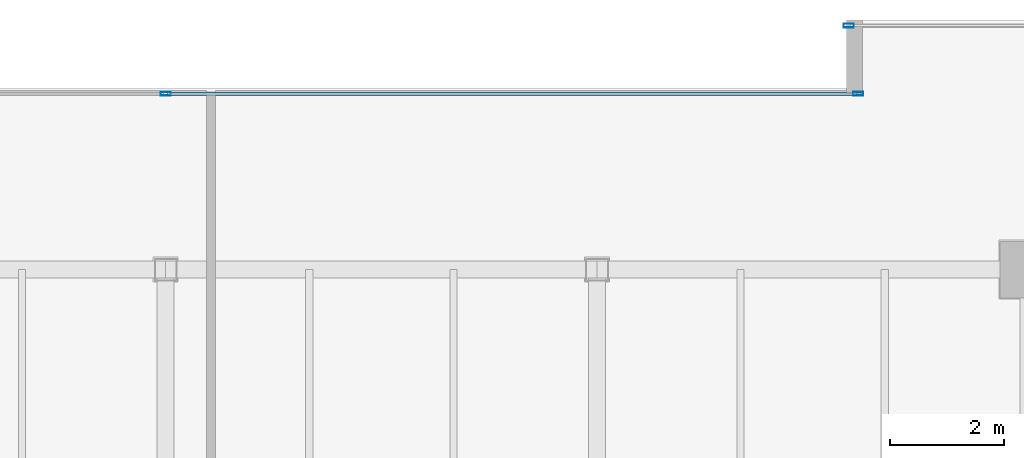
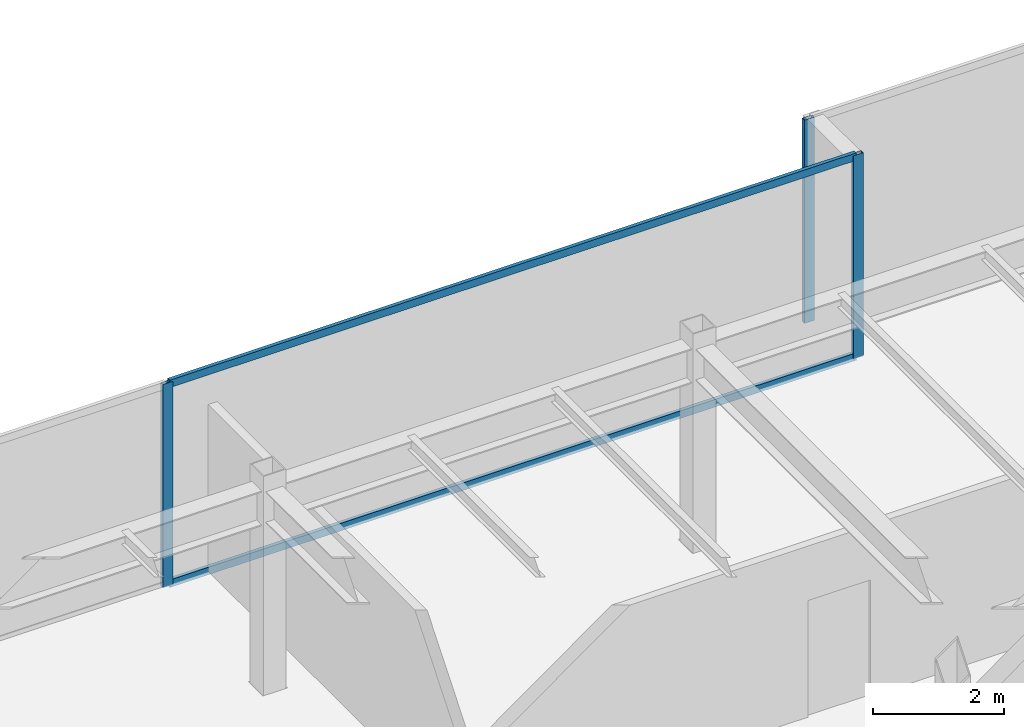
# One storey, part 19 of 36: 5 members, 2 elements without a shape of their own.
"""IFC4 building model written with IfcOpenShell, lengths in metres."""

from ifc_helpers import new_model, si_unit, direction, frame, origin, origin_2d, place, context, subcontext, project, spatial, hollow_rectangle, extrude, source, transform, mapped, material, layer, layer_set, material_profile, profile_set, type_object, type_shapes, element, aggregate, save


model = new_model("IFC4")

# Units and contexts
model_context = context("Model", 3, precision=1e-05, world=origin(), true_north=direction((0.0, 1.0)))
body_context = subcontext(model_context, "Body", "Model", "MODEL_VIEW")
ifc_project = project(units=[si_unit("LENGTHUNIT", "METRE"), si_unit("AREAUNIT", "SQUARE_METRE"), si_unit("VOLUMEUNIT", "CUBIC_METRE"), si_unit("PLANEANGLEUNIT", "RADIAN"), si_unit("MASSUNIT", "GRAM", prefix="KILO")], contexts=[model_context])

# Site, building, storey
site_placement = place(None, origin())
site = spatial("IfcSite", under=ifc_project, at=site_placement, CompositionType="ELEMENT")
building_placement = place(site_placement, origin())
building = spatial("IfcBuilding", under=site, at=building_placement, Name="Haelvirn Gate Laboratories", CompositionType="ELEMENT")
storey_placement = place(building_placement, frame((0.0, 0.0, 254.699951171875)))
storey = spatial("IfcBuildingStorey", under=building, at=storey_placement, Name="L61", CompositionType="ELEMENT", Elevation=254.699951171875)

# Curtain wall, members
ifc_material_1 = material(Name="Anodised bronze unitised aluminium & triple low-E glass", Category="aluminium")
ifc_layer = layer(ifc_material_1, 0.176025390625, Name="CW-SYS-4")
ifc_layer_set = layer_set([ifc_layer], Name="Anodised bronze unitised aluminium & triple low-E glass")
curtain_wall_type = type_object("IfcCurtainWallType", Name="CW-SYS-4", PredefinedType="NOTDEFINED", material=ifc_layer_set)
curtain_wall_1_placement = place(storey_placement, origin())
curtain_wall_1 = element("IfcCurtainWall", 1, at=curtain_wall_1_placement, inside=storey, type_object=curtain_wall_type, Name="L61 Unitised Curtain Wall CW-L61-P0-E12-1", PredefinedType="NOTDEFINED")
ifc_material_2 = material(Name="Extruded aluminium 6063-T6 (anodised bronze)", Category="aluminium")
ifc_material_profile_1 = material_profile(ifc_material_2, hollow_rectangle(XDim=0.06494140625, YDim=0.139892578125, WallThickness=0.00390625, at=origin_2d()), Name="CWT-140x65x4")
ifc_profile_set_1 = profile_set([ifc_material_profile_1], Name="Extruded aluminium 6063-T6 (anodised bronze)")
member_type_1 = type_object("IfcMemberType", Name="CWT-T140", PredefinedType="USERDEFINED", material=ifc_profile_set_1)
shared_shape_1 = source(origin(), body_context, "Body", "SweptSolid", [
    extrude(hollow_rectangle(XDim=0.06494140625, YDim=0.139892578125, WallThickness=0.00390625, at=origin_2d()), origin(), (0.0, 0.0, 1.0), 12.135009765625),
])
type_shapes(member_type_1, [shared_shape_1])
member_1_placement = place(storey_placement, frame((37.43505859375, 44.699951171875, 0.032470703125), z_axis=(1.0, 0.0, 0.0), x_axis=(0.0, 1.0, 0.0)))
member_1 = element("IfcMember", 2, at=member_1_placement, type_object=member_type_1, Name="CW4 transom 2.1", ObjectType="TRANSOM", PredefinedType="USERDEFINED", context=body_context, shape_type="MappedRepresentation", body=[
    mapped(shared_shape_1, transform((0.0, 0.0, 0.0), scale=1.0)),
])
member_2_placement = place(storey_placement, frame((37.43505859375, 44.699951171875, 3.767578125), z_axis=(1.0, 0.0, 0.0), x_axis=(0.0, 1.0, 0.0)))
member_2 = element("IfcMember", 3, at=member_2_placement, type_object=member_type_1, Name="CW4 transom 2.2", ObjectType="TRANSOM", PredefinedType="USERDEFINED", context=body_context, shape_type="MappedRepresentation", body=[
    mapped(shared_shape_1, transform((0.0, 0.0, 0.0), scale=1.0)),
])

# Curtain wall, member
curtain_wall_2_placement = place(storey_placement, origin())
curtain_wall_2 = element("IfcCurtainWall", 4, at=curtain_wall_2_placement, inside=storey, type_object=curtain_wall_type, Name="L61 Unitised Curtain Wall CW-L61-P0-E10-1", PredefinedType="NOTDEFINED")
ifc_material_profile_2 = material_profile(ifc_material_2, hollow_rectangle(XDim=0.070068359375, YDim=0.179931640625, WallThickness=0.0048828125, at=origin_2d()), Name="CWM-180x70x5")
ifc_profile_set_2 = profile_set([ifc_material_profile_2], Name="Extruded aluminium 6063-T6 (anodised bronze)")
member_type_2 = type_object("IfcMemberType", Name="CWM-T180", PredefinedType="MULLION", material=ifc_profile_set_2)
shared_shape_2 = source(origin(), body_context, "Body", "SweptSolid", [
    extrude(hollow_rectangle(XDim=0.070068359375, YDim=0.179931640625, WallThickness=0.0048828125, at=origin_2d()), origin(), (0.0, 0.0, 1.0), 3.800048828125),
])
type_shapes(member_type_2, [shared_shape_2])
member_3_placement = place(storey_placement, frame((49.43505859375, 45.89990234375, 0.0), z_axis=(0.0, 0.0, 1.0), x_axis=(0.0, 1.0, 0.0)))
member_3 = element("IfcMember", 5, at=member_3_placement, type_object=member_type_2, Name="CW4 mullion 1", PredefinedType="MULLION", context=body_context, shape_type="MappedRepresentation", body=[
    mapped(shared_shape_2, transform((0.0, 0.0, 0.0), scale=1.0)),
])
aggregate(curtain_wall_2, [member_3])

# Member
member_4_placement = place(storey_placement, frame((37.39990234375, 44.699951171875, 0.0), z_axis=(0.0, 0.0, 1.0), x_axis=(0.0, 1.0, 0.0)))
member_4 = element("IfcMember", 6, at=member_4_placement, type_object=member_type_2, Name="CW4 mullion 2", PredefinedType="MULLION", context=body_context, shape_type="MappedRepresentation", body=[
    mapped(shared_shape_2, transform((0.0, 0.0, 0.0), scale=1.0)),
])

member_5_placement = place(storey_placement, frame((49.60498046875, 44.699951171875, 0.0), z_axis=(0.0, 0.0, 1.0), x_axis=(0.0, 1.0, 0.0)))
member_5 = element("IfcMember", 7, at=member_5_placement, type_object=member_type_2, Name="CW4 mullion 3", PredefinedType="MULLION", context=body_context, shape_type="MappedRepresentation", body=[
    mapped(shared_shape_2, transform((0.0, 0.0, 0.0), scale=1.0)),
])

aggregate(curtain_wall_1, [member_4, member_5, member_1, member_2])

save(model, "model.ifc")
